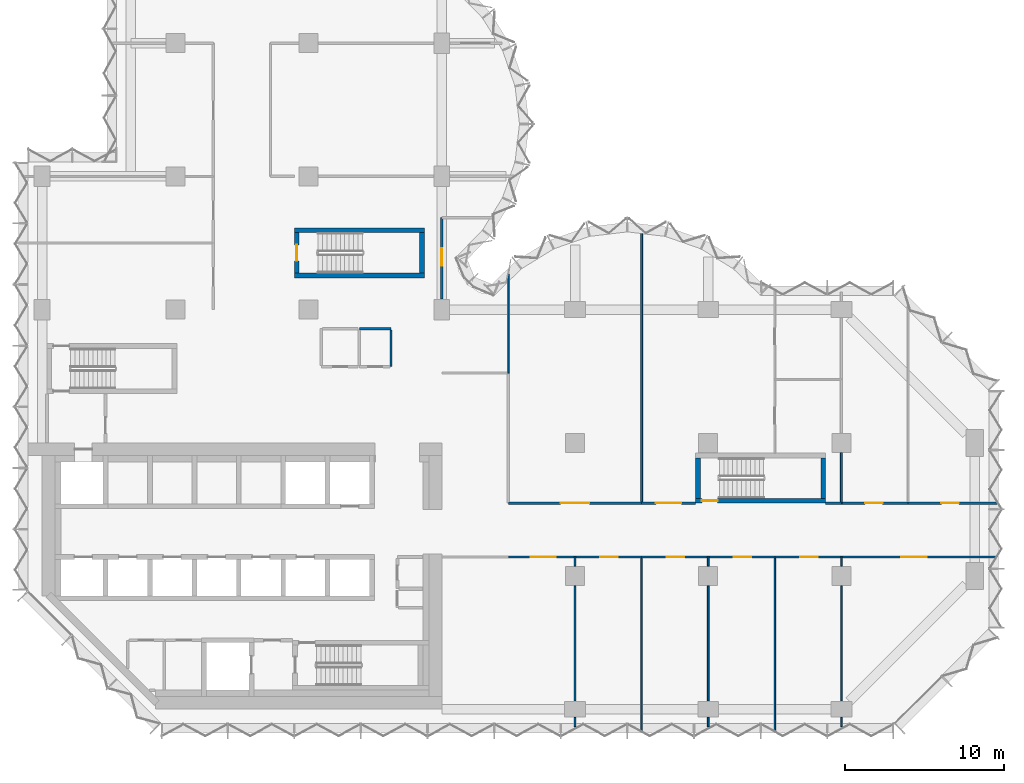
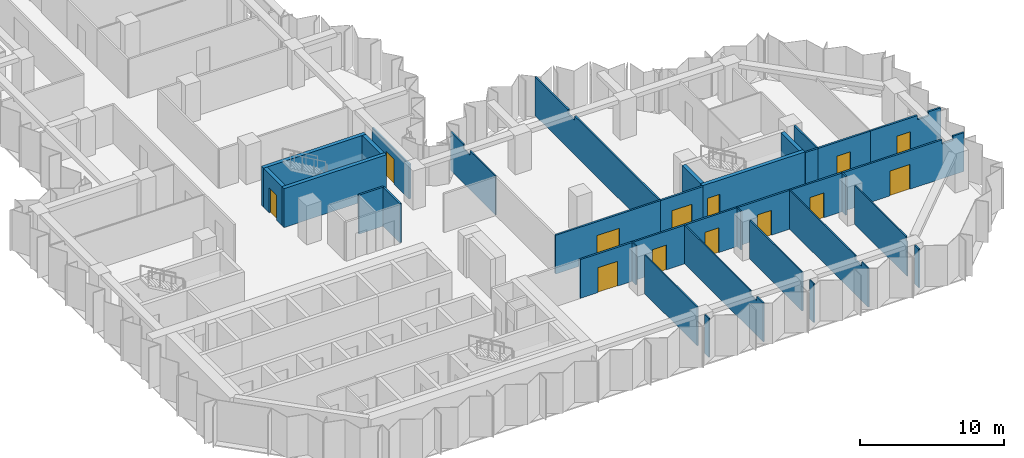
# One storey, part 7 of 11: 35 walls, 13 doors, 13 openings.
"""IFC4 building model written with IfcOpenShell, lengths in metres."""

from ifc_helpers import new_model, si_unit, direction, frame, frame_2d, origin, place, context, subcontext, project, spatial, polyline, rectangle, outline, extrude, material, layer, layer_set, type_object, element, fill, save


model = new_model("IFC4")

# Units and contexts
model_context = context("Model", 3, precision=1e-05, world=origin(), true_north=direction((0.0, 1.0)))
body_context = subcontext(model_context, "Body", "Model", "MODEL_VIEW")
ifc_project = project(units=[si_unit("LENGTHUNIT", "METRE"), si_unit("AREAUNIT", "SQUARE_METRE"), si_unit("VOLUMEUNIT", "CUBIC_METRE"), si_unit("PLANEANGLEUNIT", "RADIAN"), si_unit("MASSUNIT", "GRAM", prefix="KILO")], contexts=[model_context])

# Site, building, storey
site_placement = place(None, origin())
site = spatial("IfcSite", under=ifc_project, at=site_placement, CompositionType="ELEMENT")
building_placement = place(site_placement, origin())
building = spatial("IfcBuilding", under=site, at=building_placement, Name="Brevane Broadcast Tower", CompositionType="ELEMENT")
storey_placement = place(building_placement, frame((0.0, 0.0, 152.89990234375)))
storey = spatial("IfcBuildingStorey", under=building, at=storey_placement, Name="L38", CompositionType="ELEMENT", Elevation=152.89990234375)

# Walls
ifc_material_1 = material(Name="Gypsum board on steel studs", Category="steel")
ifc_layer_1 = layer(ifc_material_1, 0.14990234375)
ifc_layer_set_1 = layer_set([ifc_layer_1], Name="Core fire partition 150 mm")
wall_type_1 = type_object("IfcWallType", Name="Core fire partition 150 mm", PredefinedType="PARTITIONING", material=ifc_layer_set_1)
wall_1_placement = place(storey_placement, frame((20.0, 24.0, 0.0), z_axis=(0.0, 0.0, 1.0), x_axis=(1.0, 0.0, 0.0)))
element("IfcWall", 1, at=wall_1_placement, inside=storey, type_object=wall_type_1, Name="L38 partition wall P12", PredefinedType="PARTITIONING", context=body_context, shape_type="SweptSolid", body=[
    extrude(rectangle(XDim=2.0, YDim=0.14990234375, at=frame_2d((1.0, 0.0))), origin(), (0.0, 0.0, 1.0), 3.300048828125),
])
wall_2_placement = place(storey_placement, frame((22.0, 23.925048828125, 0.0), z_axis=(0.0, 0.0, 1.0), x_axis=(0.0, -1.0, 0.0)))
element("IfcWall", 2, at=wall_2_placement, inside=storey, type_object=wall_type_1, Name="L38 partition wall P13", PredefinedType="PARTITIONING", context=body_context, shape_type="SweptSolid", body=[
    extrude(rectangle(XDim=2.324951171875, YDim=0.14990234375, at=frame_2d((1.16259765625, 0.0))), origin(), (0.0, 0.0, 1.0), 3.300048828125),
])
ifc_material_2 = material(Name="Concrete C60/75", Category="concrete")
ifc_layer_2 = layer(ifc_material_2, 0.300048828125)
ifc_layer_set_2 = layer_set([ifc_layer_2], Name="Core wall 300 mm C60/75")
wall_type_2 = type_object("IfcWallType", Name="Core wall 300 mm C60/75", PredefinedType="SHEAR", material=ifc_layer_set_2)
for number, where, z_axis, x_axis, name in (
    (3, (15.89990234375, 27.35009765625, 0.0), (0.0, 0.0, 1.0), (1.0, 0.0, 0.0), "L38 stair wall ST-3-S"),
    (4, (15.89990234375, 30.199951171875, 0.0), (0.0, 0.0, 1.0), (1.0, 0.0, 0.0), "L38 stair wall ST-3-N"),
):
    element("IfcWall", number, at=place(storey_placement, frame(where, z_axis=z_axis, x_axis=x_axis)), inside=storey, type_object=wall_type_2, Name=name, PredefinedType="SHEAR", context=body_context, shape_type="SweptSolid", body=[
        extrude(rectangle(XDim=8.2001953125, YDim=0.300048828125, at=frame_2d((4.10009765625, 0.0))), origin(), (0.0, 0.0, 1.0), 3.300048828125),
    ])

# Wall, opening, door
wall_3_placement = place(storey_placement, frame((16.050048828125, 27.5, 0.0), z_axis=(0.0, 0.0, 1.0), x_axis=(0.0, 1.0, 0.0)))
wall_3 = element("IfcWall", 5, at=wall_3_placement, inside=storey, type_object=wall_type_2, Name="L38 stair wall ST-3-W", PredefinedType="SHEAR", context=body_context, shape_type="SweptSolid", body=[
    extrude(rectangle(XDim=2.550048828125, YDim=0.300048828125, at=frame_2d((1.27490234375, 0.0))), origin(), (0.0, 0.0, 1.0), 3.300048828125),
])
opening_1_placement = place(wall_3_placement, frame((0.77490234375, 0.0, 0.0)))
opening_1 = element("IfcOpeningElement", 6, at=opening_1_placement, cuts=wall_3, Name="Opening L38-K14", PredefinedType="OPENING", context=body_context, shape_type="SweptSolid", body=[
    extrude(rectangle(XDim=1.0, YDim=2.10009765625, at=frame_2d((0.5, 1.050048828125))), frame((0.0, 0.159912109375, 0.0), z_axis=(0.0, -1.0, 0.0), x_axis=(1.0, 0.0, 0.0)), (0.0, 0.0, 1.0), 0.320068359375),
])
ifc_material_3 = material(Name="Steel", Category="steel")
door_type_1 = type_object("IfcDoorType", Name="Stair door 1000 x 2100", OperationType="SINGLE_SWING_LEFT", PredefinedType="DOOR", material=ifc_material_3)
door_1_placement = place(opening_1_placement, origin())
door_1 = element("IfcDoor", 7, at=door_1_placement, inside=storey, type_object=door_type_1, Name="Door L38-K14", OperationType="SINGLE_SWING_RIGHT", OverallHeight=2.10009765625, OverallWidth=1.0, PredefinedType="DOOR", context=body_context, shape_type="SweptSolid", body=[
    extrude(rectangle(XDim=1.0, YDim=2.10009765625, at=frame_2d((0.5, 1.050048828125))), frame((0.0, 0.02490234375, 0.0), z_axis=(0.0, -1.0, 0.0), x_axis=(1.0, 0.0, 0.0)), (0.0, 0.0, 1.0), 0.050048828125),
])
fill(opening_1, door_1)

# Wall
wall_4_placement = place(storey_placement, frame((23.949951171875, 27.5, 0.0), z_axis=(0.0, 0.0, 1.0), x_axis=(0.0, 1.0, 0.0)))
element("IfcWall", 8, at=wall_4_placement, inside=storey, type_object=wall_type_2, Name="L38 stair wall ST-3-E", PredefinedType="SHEAR", context=body_context, shape_type="SweptSolid", body=[
    extrude(rectangle(XDim=2.550048828125, YDim=0.300048828125, at=frame_2d((1.27490234375, 0.0))), origin(), (0.0, 0.0, 1.0), 3.300048828125),
])

# Wall, opening, door
wall_5_placement = place(storey_placement, frame((49.39990234375, 13.14990234375, 0.0), z_axis=(0.0, 0.0, 1.0), x_axis=(-1.0, 0.0, 0.0)))
wall_5 = element("IfcWall", 9, at=wall_5_placement, inside=storey, type_object=wall_type_2, Name="L38 stair wall ST-4-S", PredefinedType="SHEAR", context=body_context, shape_type="SweptSolid", body=[
    extrude(rectangle(XDim=8.199951171875, YDim=0.300048828125, at=frame_2d((4.10009765625, 0.0))), origin(), (0.0, 0.0, 1.0), 3.300048828125),
])
opening_2_placement = place(wall_5_placement, frame((6.800048828125, 0.0, 0.0)))
opening_2 = element("IfcOpeningElement", 10, at=opening_2_placement, cuts=wall_5, Name="Opening L38-K15", PredefinedType="OPENING", context=body_context, shape_type="SweptSolid", body=[
    extrude(rectangle(XDim=1.0, YDim=2.10009765625, at=frame_2d((0.5, 1.050048828125))), frame((0.0, 0.159912109375, 0.0), z_axis=(0.0, -1.0, 0.0), x_axis=(1.0, 0.0, 0.0)), (0.0, 0.0, 1.0), 0.320068359375),
])
door_2_placement = place(opening_2_placement, origin())
door_2 = element("IfcDoor", 11, at=door_2_placement, inside=storey, type_object=door_type_1, Name="Door L38-K15", OperationType="SINGLE_SWING_LEFT", OverallHeight=2.10009765625, OverallWidth=1.0, PredefinedType="DOOR", context=body_context, shape_type="SweptSolid", body=[
    extrude(rectangle(XDim=1.0, YDim=2.10009765625, at=frame_2d((0.5, 1.050048828125))), frame((0.0, 0.02490234375, 0.0), z_axis=(0.0, -1.0, 0.0), x_axis=(1.0, 0.0, 0.0)), (0.0, 0.0, 1.0), 0.050048828125),
])
fill(opening_2, door_2)

# Walls
for number, where, z_axis, x_axis, name in (
    (12, (41.35009765625, 13.300048828125, 0.0), (0.0, 0.0, 1.0), (0.0, 1.0, 0.0), "L38 stair wall ST-4-W"),
    (13, (49.25, 13.300048828125, 0.0), (0.0, 0.0, 1.0), (0.0, 1.0, 0.0), "L38 stair wall ST-4-E"),
):
    element("IfcWall", number, at=place(storey_placement, frame(where, z_axis=z_axis, x_axis=x_axis)), inside=storey, type_object=wall_type_2, Name=name, PredefinedType="SHEAR", context=body_context, shape_type="SweptSolid", body=[
        extrude(rectangle(XDim=2.550048828125, YDim=0.300048828125, at=frame_2d((1.27490234375, 0.0))), origin(), (0.0, 0.0, 1.0), 3.300048828125),
    ])
ifc_material_4 = material(Name="Gypsum board partition")
ifc_layer_3 = layer(ifc_material_4, 0.10009765625)
ifc_layer_set_3 = layer_set([ifc_layer_3], Name="PARTITION 100 STUD")
wall_type_3 = type_object("IfcWallType", Name="PARTITION 100 STUD", PredefinedType="PARTITIONING", material=ifc_layer_set_3)
wall_6_placement = place(storey_placement, frame((29.39990234375, 27.428955078125, 0.0), z_axis=(0.0, 0.0, 1.0), x_axis=(0.0, -1.0, 0.0)))
element("IfcWall", 14, at=wall_6_placement, inside=storey, type_object=wall_type_3, Name="Partition G11-004", PredefinedType="PARTITIONING", context=body_context, shape_type="SweptSolid", body=[
    extrude(outline(polyline([(0.0, 0.0), (6.22900390625, 0.0), (6.22900390625, 3.280029296875), (2.678955078125, 3.280029296875), (2.677001953125, 2.93017578125), (1.781005859375, 2.93017578125), (1.779052734375, 3.280029296875), (0.154052734375, 3.280029296875), (0.0, 3.280029296875), (0.0, 0.0)])), frame((0.0, 0.050048828125, 0.0), z_axis=(0.0, -1.0, 0.0), x_axis=(1.0, 0.0, 0.0)), (0.0, 0.0, 1.0), 0.10009765625),
])
wall_7_placement = place(storey_placement, frame((33.60009765625, 9.60009765625, 0.0), z_axis=(0.0, 0.0, 1.0), x_axis=(0.0, -1.0, 0.0)))
element("IfcWall", 15, at=wall_7_placement, inside=storey, type_object=wall_type_3, Name="Partition G11-018", PredefinedType="PARTITIONING", context=body_context, shape_type="SweptSolid", body=[
    extrude(rectangle(XDim=0.580078125, YDim=0.10009765625, at=frame_2d((0.2900390625, 0.0))), origin(), (0.0, 0.0, 1.0), 3.280029296875),
])
wall_8_placement = place(storey_placement, frame((33.60009765625, 7.780029296875, 0.0), z_axis=(0.0, 0.0, 1.0), x_axis=(0.0, -1.0, 0.0)))
element("IfcWall", 16, at=wall_8_placement, inside=storey, type_object=wall_type_3, Name="Partition G11-019", PredefinedType="PARTITIONING", context=body_context, shape_type="SweptSolid", body=[
    extrude(rectangle(XDim=7.260009765625, YDim=0.10009765625, at=frame_2d((3.6298828125, 0.0))), origin(), (0.0, 0.0, 1.0), 3.280029296875),
])
wall_9_placement = place(storey_placement, frame((33.60009765625, -0.52001953125, 0.0), z_axis=(0.0, 0.0, 1.0), x_axis=(0.0, -1.0, 0.0)))
element("IfcWall", 17, at=wall_9_placement, inside=storey, type_object=wall_type_3, Name="Partition G11-020", PredefinedType="PARTITIONING", context=body_context, shape_type="SweptSolid", body=[
    extrude(rectangle(XDim=0.580078125, YDim=0.10009765625, at=frame_2d((0.2900390625, 0.0))), origin(), (0.0, 0.0, 1.0), 3.280029296875),
])
wall_10_placement = place(storey_placement, frame((37.800048828125, 9.60009765625, 0.0), z_axis=(0.0, 0.0, 1.0), x_axis=(0.0, -1.0, 0.0)))
element("IfcWall", 18, at=wall_10_placement, inside=storey, type_object=wall_type_3, Name="Partition G11-021", PredefinedType="PARTITIONING", context=body_context, shape_type="SweptSolid", body=[
    extrude(outline(polyline([(0.0, 0.0), (10.965087890625, 0.0), (10.965087890625, 3.280029296875), (10.699951171875, 3.280029296875), (10.050048828125, 3.280029296875), (10.048095703125, 2.93017578125), (9.152099609375, 2.93017578125), (9.14990234375, 3.280029296875), (0.0, 3.280029296875), (0.0, 0.0)])), frame((0.0, 0.050048828125, 0.0), z_axis=(0.0, -1.0, 0.0), x_axis=(1.0, 0.0, 0.0)), (0.0, 0.0, 1.0), 0.10009765625),
])
wall_11_placement = place(storey_placement, frame((42.0, 9.60009765625, 0.0), z_axis=(0.0, 0.0, 1.0), x_axis=(0.0, -1.0, 0.0)))
element("IfcWall", 19, at=wall_11_placement, inside=storey, type_object=wall_type_3, Name="Partition G11-022", PredefinedType="PARTITIONING", context=body_context, shape_type="SweptSolid", body=[
    extrude(rectangle(XDim=0.580078125, YDim=0.10009765625, at=frame_2d((0.2900390625, 0.0))), origin(), (0.0, 0.0, 1.0), 3.280029296875),
])
wall_12_placement = place(storey_placement, frame((42.0, 7.780029296875, 0.0), z_axis=(0.0, 0.0, 1.0), x_axis=(0.0, -1.0, 0.0)))
element("IfcWall", 20, at=wall_12_placement, inside=storey, type_object=wall_type_3, Name="Partition G11-023", PredefinedType="PARTITIONING", context=body_context, shape_type="SweptSolid", body=[
    extrude(rectangle(XDim=7.260009765625, YDim=0.10009765625, at=frame_2d((3.6298828125, 0.0))), origin(), (0.0, 0.0, 1.0), 3.280029296875),
])
wall_13_placement = place(storey_placement, frame((42.0, -0.52001953125, 0.0), z_axis=(0.0, 0.0, 1.0), x_axis=(0.0, -1.0, 0.0)))
element("IfcWall", 21, at=wall_13_placement, inside=storey, type_object=wall_type_3, Name="Partition G11-024", PredefinedType="PARTITIONING", context=body_context, shape_type="SweptSolid", body=[
    extrude(rectangle(XDim=0.580078125, YDim=0.10009765625, at=frame_2d((0.2900390625, 0.0))), origin(), (0.0, 0.0, 1.0), 3.280029296875),
])
wall_14_placement = place(storey_placement, frame((46.199951171875, 9.60009765625, 0.0), z_axis=(0.0, 0.0, 1.0), x_axis=(0.0, -1.0, 0.0)))
element("IfcWall", 22, at=wall_14_placement, inside=storey, type_object=wall_type_3, Name="Partition G11-025", PredefinedType="PARTITIONING", context=body_context, shape_type="SweptSolid", body=[
    extrude(outline(polyline([(0.0, 0.0), (10.965087890625, 0.0), (10.965087890625, 3.280029296875), (10.699951171875, 3.280029296875), (10.050048828125, 3.280029296875), (10.048095703125, 2.93017578125), (9.152099609375, 2.93017578125), (9.14990234375, 3.280029296875), (0.0, 3.280029296875), (0.0, 0.0)])), frame((0.0, 0.050048828125, 0.0), z_axis=(0.0, -1.0, 0.0), x_axis=(1.0, 0.0, 0.0)), (0.0, 0.0, 1.0), 0.10009765625),
])
wall_15_placement = place(storey_placement, frame((50.39990234375, 9.60009765625, 0.0), z_axis=(0.0, 0.0, 1.0), x_axis=(0.0, -1.0, 0.0)))
element("IfcWall", 23, at=wall_15_placement, inside=storey, type_object=wall_type_3, Name="Partition G11-026", PredefinedType="PARTITIONING", context=body_context, shape_type="SweptSolid", body=[
    extrude(rectangle(XDim=0.580078125, YDim=0.10009765625, at=frame_2d((0.2900390625, 0.0))), origin(), (0.0, 0.0, 1.0), 3.280029296875),
])
wall_16_placement = place(storey_placement, frame((50.39990234375, 7.780029296875, 0.0), z_axis=(0.0, 0.0, 1.0), x_axis=(0.0, -1.0, 0.0)))
element("IfcWall", 24, at=wall_16_placement, inside=storey, type_object=wall_type_3, Name="Partition G11-027", PredefinedType="PARTITIONING", context=body_context, shape_type="SweptSolid", body=[
    extrude(outline(polyline([(0.0, 0.0), (7.260009765625, 0.0), (7.260009765625, 2.93017578125), (7.1162109375, 2.93017578125), (7.1142578125, 3.280029296875), (0.0, 3.280029296875), (0.0, 0.0)])), frame((0.0, 0.050048828125, 0.0), z_axis=(0.0, -1.0, 0.0), x_axis=(1.0, 0.0, 0.0)), (0.0, 0.0, 1.0), 0.10009765625),
])
wall_17_placement = place(storey_placement, frame((50.39990234375, -0.52001953125, 0.0), z_axis=(0.0, 0.0, 1.0), x_axis=(0.0, -1.0, 0.0)))
element("IfcWall", 25, at=wall_17_placement, inside=storey, type_object=wall_type_3, Name="Partition G11-028", PredefinedType="PARTITIONING", context=body_context, shape_type="SweptSolid", body=[
    extrude(rectangle(XDim=0.580078125, YDim=0.10009765625, at=frame_2d((0.2900390625, 0.0))), origin(), (0.0, 0.0, 1.0), 3.280029296875),
])
ifc_layer_4 = layer(ifc_material_4, 0.125)
ifc_layer_set_4 = layer_set([ifc_layer_4], Name="PARTITION 125 ACOUSTIC")
wall_type_4 = type_object("IfcWallType", Name="PARTITION 125 ACOUSTIC", PredefinedType="PARTITIONING", material=ifc_layer_set_4)
wall_18_placement = place(storey_placement, frame((37.800048828125, 30.24267578125, 0.0), z_axis=(0.0, 0.0, 1.0), x_axis=(0.0, -1.0, 0.0)))
element("IfcWall", 26, at=wall_18_placement, inside=storey, type_object=wall_type_4, Name="Partition G11-029", PredefinedType="PARTITIONING", context=body_context, shape_type="SweptSolid", body=[
    extrude(outline(polyline([(0.0, 0.0), (17.24267578125, 0.0), (17.24267578125, 3.280029296875), (5.49267578125, 3.280029296875), (5.49072265625, 2.93017578125), (4.5947265625, 2.93017578125), (4.5927734375, 3.280029296875), (0.0, 3.280029296875), (0.0, 0.0)])), frame((0.0, 0.0625, 0.0), z_axis=(0.0, -1.0, 0.0), x_axis=(1.0, 0.0, 0.0)), (0.0, 0.0, 1.0), 0.125),
])
wall_19_placement = place(storey_placement, frame((50.39990234375, 16.179931640625, 0.0), z_axis=(0.0, 0.0, 1.0), x_axis=(0.0, -1.0, 0.0)))
element("IfcWall", 27, at=wall_19_placement, inside=storey, type_object=wall_type_4, Name="Partition G11-034", PredefinedType="PARTITIONING", context=body_context, shape_type="SweptSolid", body=[
    extrude(rectangle(XDim=3.179931640625, YDim=0.125, at=frame_2d((1.58984375, 0.0))), origin(), (0.0, 0.0, 1.0), 3.280029296875),
])

# Wall, opening, door
ifc_layer_5 = layer(ifc_material_4, 0.14990234375)
ifc_layer_set_5 = layer_set([ifc_layer_5], Name="PARTITION 150 EI 60")
wall_type_5 = type_object("IfcWallType", Name="PARTITION 150 EI 60", PredefinedType="PARTITIONING", material=ifc_layer_set_5)
wall_20_placement = place(storey_placement, frame((25.199951171875, 31.0, 0.0), z_axis=(0.0, 0.0, 1.0), x_axis=(0.0, -1.0, 0.0)))
wall_20 = element("IfcWall", 28, at=wall_20_placement, inside=storey, type_object=wall_type_5, Name="Partition G11-005", PredefinedType="PARTITIONING", context=body_context, shape_type="SweptSolid", body=[
    extrude(outline(polyline([(0.0, 0.0), (5.1298828125, 0.0), (5.1298828125, 2.93017578125), (0.0, 2.93017578125), (0.0, 0.0)])), frame((0.0, 0.074951171875, 0.0), z_axis=(0.0, -1.0, 0.0), x_axis=(1.0, 0.0, 0.0)), (0.0, 0.0, 1.0), 0.14990234375),
])
opening_3_placement = place(wall_20_placement, frame((1.929931640625, 0.0, 0.0)))
opening_3 = element("IfcOpeningElement", 29, at=opening_3_placement, cuts=wall_20, Name="Opening D18-001", PredefinedType="OPENING", context=body_context, shape_type="SweptSolid", body=[
    extrude(rectangle(XDim=1.10009765625, YDim=2.10009765625, at=frame_2d((0.550048828125, 1.050048828125))), frame((0.0, 0.0849609375, 0.0), z_axis=(0.0, -1.0, 0.0), x_axis=(1.0, 0.0, 0.0)), (0.0, 0.0, 1.0), 0.169921875),
])
ifc_material_5 = material(Name="Fire-rated timber door leaf", Category="wood")
door_type_2 = type_object("IfcDoorType", Name="DOOR SINGLE 1100 FD30S", OperationType="SINGLE_SWING_LEFT", PredefinedType="DOOR", material=ifc_material_5)
door_3_placement = place(opening_3_placement, origin())
door_3 = element("IfcDoor", 30, at=door_3_placement, inside=storey, type_object=door_type_2, Name="Door D18-001", OperationType="SINGLE_SWING_RIGHT", OverallHeight=2.10009765625, OverallWidth=1.10009765625, PredefinedType="DOOR", context=body_context, shape_type="SweptSolid", body=[
    extrude(rectangle(XDim=1.10009765625, YDim=2.10009765625, at=frame_2d((0.550048828125, 1.050048828125))), frame((0.0, 0.02490234375, 0.0), z_axis=(0.0, -1.0, 0.0), x_axis=(1.0, 0.0, 0.0)), (0.0, 0.0, 1.0), 0.050048828125),
])
fill(opening_3, door_3)

wall_21_placement = place(storey_placement, frame((33.60009765625, 9.60009765625, 0.0), z_axis=(0.0, 0.0, 1.0), x_axis=(-1.0, 0.0, 0.0)))
wall_21 = element("IfcWall", 31, at=wall_21_placement, inside=storey, type_object=wall_type_5, Name="Partition G11-007", PredefinedType="PARTITIONING", context=body_context, shape_type="SweptSolid", body=[
    extrude(rectangle(XDim=4.2001953125, YDim=0.14990234375, at=frame_2d((2.10009765625, 0.0))), origin(), (0.0, 0.0, 1.0), 3.280029296875),
])
opening_4_placement = place(wall_21_placement, frame((1.199951171875, 0.0, 0.0)))
opening_4 = element("IfcOpeningElement", 32, at=opening_4_placement, cuts=wall_21, Name="Opening D18-002", PredefinedType="OPENING", context=body_context, shape_type="SweptSolid", body=[
    extrude(rectangle(XDim=1.60009765625, YDim=2.10009765625, at=frame_2d((0.800048828125, 1.050048828125))), frame((0.0, 0.0849609375, 0.0), z_axis=(0.0, -1.0, 0.0), x_axis=(1.0, 0.0, 0.0)), (0.0, 0.0, 1.0), 0.169921875),
])
door_type_3 = type_object("IfcDoorType", Name="DOOR DOUBLE 1600 FD30S", OperationType="DOUBLE_DOOR_SINGLE_SWING", PredefinedType="DOOR", material=ifc_material_5)
door_4_placement = place(opening_4_placement, origin())
door_4 = element("IfcDoor", 33, at=door_4_placement, inside=storey, type_object=door_type_3, Name="Door D18-002", OperationType="DOUBLE_DOOR_SINGLE_SWING", OverallHeight=2.10009765625, OverallWidth=1.60009765625, PredefinedType="DOOR", context=body_context, shape_type="SweptSolid", body=[
    extrude(rectangle(XDim=1.60009765625, YDim=2.10009765625, at=frame_2d((0.800048828125, 1.050048828125))), frame((0.0, 0.02490234375, 0.0), z_axis=(0.0, -1.0, 0.0), x_axis=(1.0, 0.0, 0.0)), (0.0, 0.0, 1.0), 0.050048828125),
])
fill(opening_4, door_4)

wall_22_placement = place(storey_placement, frame((37.800048828125, 9.60009765625, 0.0), z_axis=(0.0, 0.0, 1.0), x_axis=(-1.0, 0.0, 0.0)))
wall_22 = element("IfcWall", 34, at=wall_22_placement, inside=storey, type_object=wall_type_5, Name="Partition G11-008", PredefinedType="PARTITIONING", context=body_context, shape_type="SweptSolid", body=[
    extrude(rectangle(XDim=4.199951171875, YDim=0.14990234375, at=frame_2d((2.10009765625, 0.0))), origin(), (0.0, 0.0, 1.0), 3.280029296875),
])
opening_5_placement = place(wall_22_placement, frame((1.5, 0.0, 0.0)))
opening_5 = element("IfcOpeningElement", 35, at=opening_5_placement, cuts=wall_22, Name="Opening D18-003", PredefinedType="OPENING", context=body_context, shape_type="SweptSolid", body=[
    extrude(rectangle(XDim=1.10009765625, YDim=2.10009765625, at=frame_2d((0.550048828125, 1.050048828125))), frame((0.0, 0.0849609375, 0.0), z_axis=(0.0, -1.0, 0.0), x_axis=(1.0, 0.0, 0.0)), (0.0, 0.0, 1.0), 0.169921875),
])
door_5_placement = place(opening_5_placement, origin())
door_5 = element("IfcDoor", 36, at=door_5_placement, inside=storey, type_object=door_type_2, Name="Door D18-003", OperationType="SINGLE_SWING_LEFT", OverallHeight=2.10009765625, OverallWidth=1.10009765625, PredefinedType="DOOR", context=body_context, shape_type="SweptSolid", body=[
    extrude(rectangle(XDim=1.10009765625, YDim=2.10009765625, at=frame_2d((0.550048828125, 1.050048828125))), frame((0.0, 0.02490234375, 0.0), z_axis=(0.0, -1.0, 0.0), x_axis=(1.0, 0.0, 0.0)), (0.0, 0.0, 1.0), 0.050048828125),
])
fill(opening_5, door_5)

wall_23_placement = place(storey_placement, frame((42.0, 9.60009765625, 0.0), z_axis=(0.0, 0.0, 1.0), x_axis=(-1.0, 0.0, 0.0)))
wall_23 = element("IfcWall", 37, at=wall_23_placement, inside=storey, type_object=wall_type_5, Name="Partition G11-009", PredefinedType="PARTITIONING", context=body_context, shape_type="SweptSolid", body=[
    extrude(rectangle(XDim=4.199951171875, YDim=0.14990234375, at=frame_2d((2.10009765625, 0.0))), origin(), (0.0, 0.0, 1.0), 3.280029296875),
])
opening_6_placement = place(wall_23_placement, frame((1.5, 0.0, 0.0)))
opening_6 = element("IfcOpeningElement", 38, at=opening_6_placement, cuts=wall_23, Name="Opening D18-004", PredefinedType="OPENING", context=body_context, shape_type="SweptSolid", body=[
    extrude(rectangle(XDim=1.10009765625, YDim=2.10009765625, at=frame_2d((0.550048828125, 1.050048828125))), frame((0.0, 0.0849609375, 0.0), z_axis=(0.0, -1.0, 0.0), x_axis=(1.0, 0.0, 0.0)), (0.0, 0.0, 1.0), 0.169921875),
])
door_6_placement = place(opening_6_placement, origin())
door_6 = element("IfcDoor", 39, at=door_6_placement, inside=storey, type_object=door_type_2, Name="Door D18-004", OperationType="SINGLE_SWING_LEFT", OverallHeight=2.10009765625, OverallWidth=1.10009765625, PredefinedType="DOOR", context=body_context, shape_type="SweptSolid", body=[
    extrude(rectangle(XDim=1.10009765625, YDim=2.10009765625, at=frame_2d((0.550048828125, 1.050048828125))), frame((0.0, 0.02490234375, 0.0), z_axis=(0.0, -1.0, 0.0), x_axis=(1.0, 0.0, 0.0)), (0.0, 0.0, 1.0), 0.050048828125),
])
fill(opening_6, door_6)

wall_24_placement = place(storey_placement, frame((46.199951171875, 9.60009765625, 0.0), z_axis=(0.0, 0.0, 1.0), x_axis=(-1.0, 0.0, 0.0)))
wall_24 = element("IfcWall", 40, at=wall_24_placement, inside=storey, type_object=wall_type_5, Name="Partition G11-010", PredefinedType="PARTITIONING", context=body_context, shape_type="SweptSolid", body=[
    extrude(rectangle(XDim=4.199951171875, YDim=0.14990234375, at=frame_2d((2.10009765625, 0.0))), origin(), (0.0, 0.0, 1.0), 3.280029296875),
])
opening_7_placement = place(wall_24_placement, frame((1.5, 0.0, 0.0)))
opening_7 = element("IfcOpeningElement", 41, at=opening_7_placement, cuts=wall_24, Name="Opening D18-005", PredefinedType="OPENING", context=body_context, shape_type="SweptSolid", body=[
    extrude(rectangle(XDim=1.10009765625, YDim=2.10009765625, at=frame_2d((0.550048828125, 1.050048828125))), frame((0.0, 0.0849609375, 0.0), z_axis=(0.0, -1.0, 0.0), x_axis=(1.0, 0.0, 0.0)), (0.0, 0.0, 1.0), 0.169921875),
])
door_7_placement = place(opening_7_placement, origin())
door_7 = element("IfcDoor", 42, at=door_7_placement, inside=storey, type_object=door_type_2, Name="Door D18-005", OperationType="SINGLE_SWING_LEFT", OverallHeight=2.10009765625, OverallWidth=1.10009765625, PredefinedType="DOOR", context=body_context, shape_type="SweptSolid", body=[
    extrude(rectangle(XDim=1.10009765625, YDim=2.10009765625, at=frame_2d((0.550048828125, 1.050048828125))), frame((0.0, 0.02490234375, 0.0), z_axis=(0.0, -1.0, 0.0), x_axis=(1.0, 0.0, 0.0)), (0.0, 0.0, 1.0), 0.050048828125),
])
fill(opening_7, door_7)

wall_25_placement = place(storey_placement, frame((50.39990234375, 9.60009765625, 0.0), z_axis=(0.0, 0.0, 1.0), x_axis=(-1.0, 0.0, 0.0)))
wall_25 = element("IfcWall", 43, at=wall_25_placement, inside=storey, type_object=wall_type_5, Name="Partition G11-011", PredefinedType="PARTITIONING", context=body_context, shape_type="SweptSolid", body=[
    extrude(rectangle(XDim=4.199951171875, YDim=0.14990234375, at=frame_2d((2.10009765625, 0.0))), origin(), (0.0, 0.0, 1.0), 3.280029296875),
])
opening_8_placement = place(wall_25_placement, frame((1.5, 0.0, 0.0)))
opening_8 = element("IfcOpeningElement", 44, at=opening_8_placement, cuts=wall_25, Name="Opening D18-006", PredefinedType="OPENING", context=body_context, shape_type="SweptSolid", body=[
    extrude(rectangle(XDim=1.10009765625, YDim=2.10009765625, at=frame_2d((0.550048828125, 1.050048828125))), frame((0.0, 0.0849609375, 0.0), z_axis=(0.0, -1.0, 0.0), x_axis=(1.0, 0.0, 0.0)), (0.0, 0.0, 1.0), 0.169921875),
])
door_8_placement = place(opening_8_placement, origin())
door_8 = element("IfcDoor", 45, at=door_8_placement, inside=storey, type_object=door_type_2, Name="Door D18-006", OperationType="SINGLE_SWING_LEFT", OverallHeight=2.10009765625, OverallWidth=1.10009765625, PredefinedType="DOOR", context=body_context, shape_type="SweptSolid", body=[
    extrude(rectangle(XDim=1.10009765625, YDim=2.10009765625, at=frame_2d((0.550048828125, 1.050048828125))), frame((0.0, 0.02490234375, 0.0), z_axis=(0.0, -1.0, 0.0), x_axis=(1.0, 0.0, 0.0)), (0.0, 0.0, 1.0), 0.050048828125),
])
fill(opening_8, door_8)

wall_26_placement = place(storey_placement, frame((60.130615234375, 9.60009765625, 0.0), z_axis=(0.0, 0.0, 1.0), x_axis=(-1.0, 0.0, 0.0)))
wall_26 = element("IfcWall", 46, at=wall_26_placement, inside=storey, type_object=wall_type_5, Name="Partition G11-012", PredefinedType="PARTITIONING", context=body_context, shape_type="SweptSolid", body=[
    extrude(outline(polyline([(0.0, 0.0), (9.730712890625, 0.0), (9.73046875, 3.280029296875), (1.780517578125, 3.280029296875), (1.778564453125, 2.93017578125), (0.882568359375, 2.93017578125), (0.880615234375, 3.280029296875), (0.25048828125, 3.280029296875), (0.0, 3.280029296875), (0.0, 0.0)])), frame((0.0, 0.074951171875, 0.0), z_axis=(0.0, -1.0, 0.0), x_axis=(1.0, 0.0, 0.0)), (0.0, 0.0, 1.0), 0.14990234375),
])
opening_9_placement = place(wall_26_placement, frame((4.3505859375, 0.0, 0.0)))
opening_9 = element("IfcOpeningElement", 47, at=opening_9_placement, cuts=wall_26, Name="Opening D18-007", PredefinedType="OPENING", context=body_context, shape_type="SweptSolid", body=[
    extrude(rectangle(XDim=1.60009765625, YDim=2.10009765625, at=frame_2d((0.800048828125, 1.050048828125))), frame((0.0, 0.0849609375, 0.0), z_axis=(0.0, -1.0, 0.0), x_axis=(1.0, 0.0, 0.0)), (0.0, 0.0, 1.0), 0.169921875),
])
door_9_placement = place(opening_9_placement, origin())
door_9 = element("IfcDoor", 48, at=door_9_placement, inside=storey, type_object=door_type_3, Name="Door D18-007", OperationType="DOUBLE_DOOR_SINGLE_SWING", OverallHeight=2.10009765625, OverallWidth=1.60009765625, PredefinedType="DOOR", context=body_context, shape_type="SweptSolid", body=[
    extrude(rectangle(XDim=1.60009765625, YDim=2.10009765625, at=frame_2d((0.800048828125, 1.050048828125))), frame((0.0, 0.02490234375, 0.0), z_axis=(0.0, -1.0, 0.0), x_axis=(1.0, 0.0, 0.0)), (0.0, 0.0, 1.0), 0.050048828125),
])
fill(opening_9, door_9)

wall_27_placement = place(storey_placement, frame((29.39990234375, 13.0, 0.0), z_axis=(0.0, 0.0, 1.0), x_axis=(1.0, 0.0, 0.0)))
wall_27 = element("IfcWall", 49, at=wall_27_placement, inside=storey, type_object=wall_type_5, Name="Partition G11-013", PredefinedType="PARTITIONING", context=body_context, shape_type="SweptSolid", body=[
    extrude(rectangle(XDim=8.400146484375, YDim=0.14990234375, at=frame_2d((4.2001953125, 0.0))), origin(), (0.0, 0.0, 1.0), 3.280029296875),
])
opening_10_placement = place(wall_27_placement, frame((3.300048828125, 0.0, 0.0)))
opening_10 = element("IfcOpeningElement", 50, at=opening_10_placement, cuts=wall_27, Name="Opening D18-008", PredefinedType="OPENING", context=body_context, shape_type="SweptSolid", body=[
    extrude(rectangle(XDim=1.800048828125, YDim=2.10009765625, at=frame_2d((0.89990234375, 1.050048828125))), frame((0.0, 0.0849609375, 0.0), z_axis=(0.0, -1.0, 0.0), x_axis=(1.0, 0.0, 0.0)), (0.0, 0.0, 1.0), 0.169921875),
])
door_type_4 = type_object("IfcDoorType", Name="DOOR DOUBLE 1800 FD30S", OperationType="DOUBLE_DOOR_SINGLE_SWING", PredefinedType="DOOR", material=ifc_material_5)
door_10_placement = place(opening_10_placement, origin())
door_10 = element("IfcDoor", 51, at=door_10_placement, inside=storey, type_object=door_type_4, Name="Door D18-008", OperationType="DOUBLE_DOOR_SINGLE_SWING", OverallHeight=2.10009765625, OverallWidth=1.800048828125, PredefinedType="DOOR", context=body_context, shape_type="SweptSolid", body=[
    extrude(rectangle(XDim=1.800048828125, YDim=2.10009765625, at=frame_2d((0.89990234375, 1.050048828125))), frame((0.0, 0.02490234375, 0.0), z_axis=(0.0, -1.0, 0.0), x_axis=(1.0, 0.0, 0.0)), (0.0, 0.0, 1.0), 0.050048828125),
])
fill(opening_10, door_10)

wall_28_placement = place(storey_placement, frame((37.800048828125, 13.0, 0.0), z_axis=(0.0, 0.0, 1.0), x_axis=(1.0, 0.0, 0.0)))
wall_28 = element("IfcWall", 52, at=wall_28_placement, inside=storey, type_object=wall_type_5, Name="Partition G11-014", PredefinedType="PARTITIONING", context=body_context, shape_type="SweptSolid", body=[
    extrude(rectangle(XDim=3.39990234375, YDim=0.14990234375, at=frame_2d((1.699951171875, 0.0))), origin(), (0.0, 0.0, 1.0), 3.280029296875),
])
opening_11_placement = place(wall_28_placement, frame((0.89990234375, 0.0, 0.0)))
opening_11 = element("IfcOpeningElement", 53, at=opening_11_placement, cuts=wall_28, Name="Opening D18-009", PredefinedType="OPENING", context=body_context, shape_type="SweptSolid", body=[
    extrude(rectangle(XDim=1.60009765625, YDim=2.10009765625, at=frame_2d((0.800048828125, 1.050048828125))), frame((0.0, 0.0849609375, 0.0), z_axis=(0.0, -1.0, 0.0), x_axis=(1.0, 0.0, 0.0)), (0.0, 0.0, 1.0), 0.169921875),
])
door_11_placement = place(opening_11_placement, origin())
door_11 = element("IfcDoor", 54, at=door_11_placement, inside=storey, type_object=door_type_3, Name="Door D18-009", OperationType="DOUBLE_DOOR_SINGLE_SWING", OverallHeight=2.10009765625, OverallWidth=1.60009765625, PredefinedType="DOOR", context=body_context, shape_type="SweptSolid", body=[
    extrude(rectangle(XDim=1.60009765625, YDim=2.10009765625, at=frame_2d((0.800048828125, 1.050048828125))), frame((0.0, 0.02490234375, 0.0), z_axis=(0.0, -1.0, 0.0), x_axis=(1.0, 0.0, 0.0)), (0.0, 0.0, 1.0), 0.050048828125),
])
fill(opening_11, door_11)

# Wall
wall_29_placement = place(storey_placement, frame((49.39990234375, 13.0, 0.0), z_axis=(0.0, 0.0, 1.0), x_axis=(1.0, 0.0, 0.0)))
element("IfcWall", 55, at=wall_29_placement, inside=storey, type_object=wall_type_5, Name="Partition G11-015", PredefinedType="PARTITIONING", context=body_context, shape_type="SweptSolid", body=[
    extrude(rectangle(XDim=1.0, YDim=0.14990234375, at=frame_2d((0.5, 0.0))), origin(), (0.0, 0.0, 1.0), 3.280029296875),
])

# Wall, opening, door
wall_30_placement = place(storey_placement, frame((50.39990234375, 13.0, 0.0), z_axis=(0.0, 0.0, 1.0), x_axis=(1.0, 0.0, 0.0)))
wall_30 = element("IfcWall", 56, at=wall_30_placement, inside=storey, type_object=wall_type_5, Name="Partition G11-016", PredefinedType="PARTITIONING", context=body_context, shape_type="SweptSolid", body=[
    extrude(rectangle(XDim=4.2001953125, YDim=0.14990234375, at=frame_2d((2.10009765625, 0.0))), origin(), (0.0, 0.0, 1.0), 3.280029296875),
])
opening_12_placement = place(wall_30_placement, frame((1.5, 0.0, 0.0)))
opening_12 = element("IfcOpeningElement", 57, at=opening_12_placement, cuts=wall_30, Name="Opening D18-012", PredefinedType="OPENING", context=body_context, shape_type="SweptSolid", body=[
    extrude(rectangle(XDim=1.10009765625, YDim=2.10009765625, at=frame_2d((0.550048828125, 1.050048828125))), frame((0.0, 0.0849609375, 0.0), z_axis=(0.0, -1.0, 0.0), x_axis=(1.0, 0.0, 0.0)), (0.0, 0.0, 1.0), 0.169921875),
])
door_12_placement = place(opening_12_placement, origin())
door_12 = element("IfcDoor", 58, at=door_12_placement, inside=storey, type_object=door_type_2, Name="Door D18-012", OperationType="SINGLE_SWING_LEFT", OverallHeight=2.10009765625, OverallWidth=1.10009765625, PredefinedType="DOOR", context=body_context, shape_type="SweptSolid", body=[
    extrude(rectangle(XDim=1.10009765625, YDim=2.10009765625, at=frame_2d((0.550048828125, 1.050048828125))), frame((0.0, 0.02490234375, 0.0), z_axis=(0.0, -1.0, 0.0), x_axis=(1.0, 0.0, 0.0)), (0.0, 0.0, 1.0), 0.050048828125),
])
fill(opening_12, door_12)

wall_31_placement = place(storey_placement, frame((54.60009765625, 13.0, 0.0), z_axis=(0.0, 0.0, 1.0), x_axis=(1.0, 0.0, 0.0)))
wall_31 = element("IfcWall", 59, at=wall_31_placement, inside=storey, type_object=wall_type_5, Name="Partition G11-017", PredefinedType="PARTITIONING", context=body_context, shape_type="SweptSolid", body=[
    extrude(outline(polyline([(0.0, 0.0), (5.619384765625, 0.0), (5.619384765625, 3.280029296875), (5.280029296875, 3.280029296875), (4.64990234375, 3.280029296875), (4.64794921875, 2.93017578125), (3.751953125, 2.93017578125), (3.75, 3.280029296875), (0.0, 3.280029296875), (0.0, 0.0)])), frame((0.0, 0.074951171875, 0.0), z_axis=(0.0, -1.0, 0.0), x_axis=(1.0, 0.0, 0.0)), (0.0, 0.0, 1.0), 0.14990234375),
])
opening_13_placement = place(wall_31_placement, frame((2.10009765625, 0.0, 0.0)))
opening_13 = element("IfcOpeningElement", 60, at=opening_13_placement, cuts=wall_31, Name="Opening D18-013", PredefinedType="OPENING", context=body_context, shape_type="SweptSolid", body=[
    extrude(rectangle(XDim=1.10009765625, YDim=2.10009765625, at=frame_2d((0.550048828125, 1.050048828125))), frame((0.0, 0.0849609375, 0.0), z_axis=(0.0, -1.0, 0.0), x_axis=(1.0, 0.0, 0.0)), (0.0, 0.0, 1.0), 0.169921875),
])
door_13_placement = place(opening_13_placement, origin())
door_13 = element("IfcDoor", 61, at=door_13_placement, inside=storey, type_object=door_type_2, Name="Door D18-013", OperationType="SINGLE_SWING_LEFT", OverallHeight=2.10009765625, OverallWidth=1.10009765625, PredefinedType="DOOR", context=body_context, shape_type="SweptSolid", body=[
    extrude(rectangle(XDim=1.10009765625, YDim=2.10009765625, at=frame_2d((0.550048828125, 1.050048828125))), frame((0.0, 0.02490234375, 0.0), z_axis=(0.0, -1.0, 0.0), x_axis=(1.0, 0.0, 0.0)), (0.0, 0.0, 1.0), 0.050048828125),
])
fill(opening_13, door_13)

save(model, "model.ifc")
